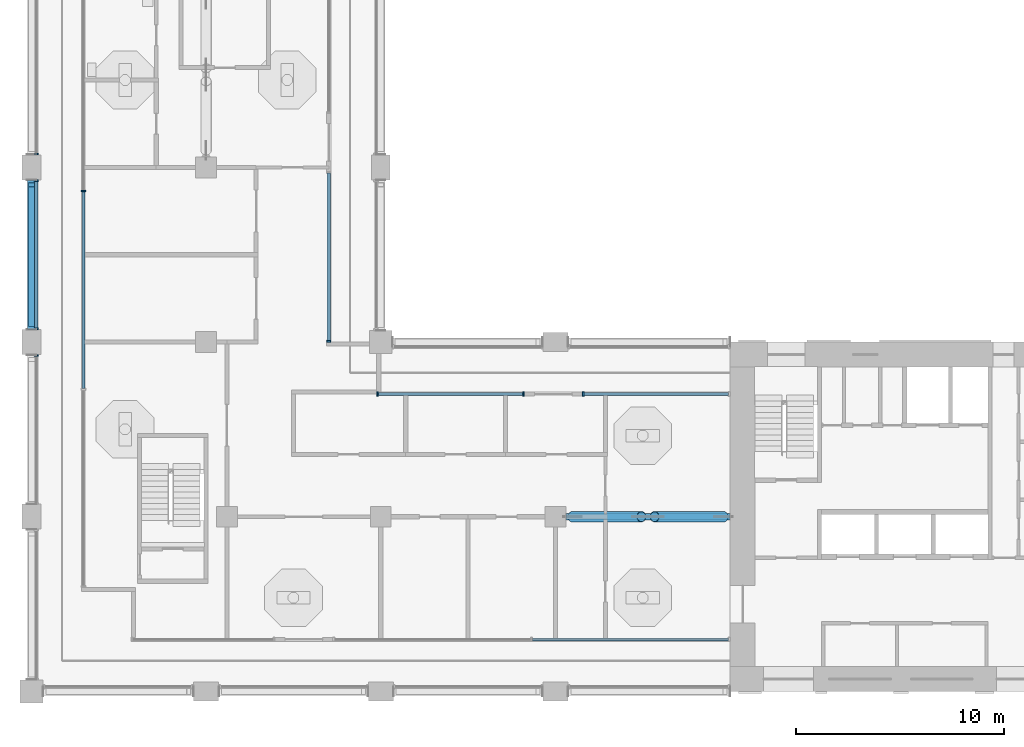
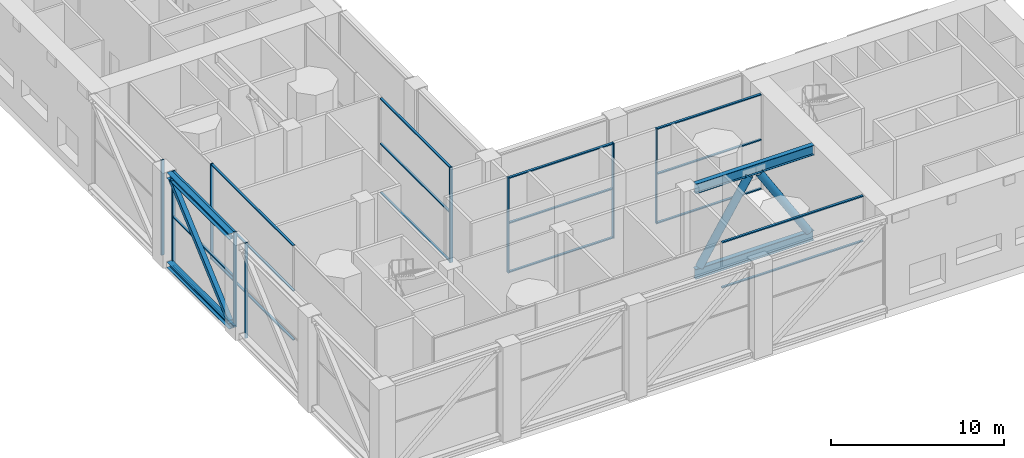
# One storey, part 2 of 20: 33 members, 8 elements without a shape of their own.
"""IFC4 building model written with IfcOpenShell, lengths in metres."""

from ifc_helpers import new_model, si_unit, direction, frame, origin, origin_2d, place, context, subcontext, project, spatial, rectangle, hollow_rectangle, hollow_circle, i_section, extrude, material, material_profile, profile_set, type_object, element, aggregate, save


model = new_model("IFC4")

# Units and contexts
model_context = context("Model", 3, precision=1e-05, world=origin(), true_north=direction((0.0, 1.0)))
body_context = subcontext(model_context, "Body", "Model", "MODEL_VIEW")
ifc_project = project(units=[si_unit("LENGTHUNIT", "METRE"), si_unit("AREAUNIT", "SQUARE_METRE"), si_unit("VOLUMEUNIT", "CUBIC_METRE"), si_unit("PLANEANGLEUNIT", "RADIAN"), si_unit("MASSUNIT", "GRAM", prefix="KILO")], contexts=[model_context])

# Site, building, storey
site_placement = place(None, origin())
site = spatial("IfcSite", under=ifc_project, at=site_placement, CompositionType="ELEMENT")
building_placement = place(site_placement, origin())
building = spatial("IfcBuilding", under=site, at=building_placement, Name="Vermilion Gate Residences", CompositionType="ELEMENT")
storey_placement = place(building_placement, frame((0.0, 0.0, 207.199951171875)))
storey = spatial("IfcBuildingStorey", under=building, at=storey_placement, Name="L54", CompositionType="ELEMENT", Elevation=207.199951171875)

# Curtain wall, member
ifc_material_1 = material(Name="Aluminium and glass", Category="aluminium")
curtain_wall_type = type_object("IfcCurtainWallType", Name="SKY GARDEN GLAZING CURTAIN WALL", PredefinedType="NOTDEFINED", material=ifc_material_1)
curtain_wall_1_placement = place(storey_placement, origin())
curtain_wall_1 = element("IfcCurtainWall", 1, at=curtain_wall_1_placement, inside=storey, type_object=curtain_wall_type, Name="Sky Garden Glazing 0", PredefinedType="NOTDEFINED")
ifc_material_2 = material(Name="Aluminium", Category="aluminium")
ifc_material_profile_1 = material_profile(ifc_material_2, rectangle(XDim=0.199951171875, YDim=0.080078125, at=origin_2d()), Name="MULLION 80 X 200")
ifc_profile_set_1 = profile_set([ifc_material_profile_1], Name="Aluminium")
member_type_1 = type_object("IfcMemberType", Name="SKY GARDEN GLAZING MULLION 80 X 200", PredefinedType="MULLION", material=ifc_profile_set_1)
member_1_placement = place(storey_placement, frame((10.89990234375, 32.466552734375, 0.0), z_axis=(0.0, 0.0, 1.0), x_axis=(1.0, 0.0, 0.0)))
member_1 = element("IfcMember", 2, at=member_1_placement, type_object=member_type_1, Name="ECW3 mullion 2", PredefinedType="MULLION", context=body_context, shape_type="SweptSolid", body=[
    extrude(rectangle(XDim=0.199951171875, YDim=0.080078125, at=origin_2d()), origin(), (0.0, 0.0, 1.0), 6.719970703125),
])

curtain_wall_2_placement = place(storey_placement, origin())
curtain_wall_2 = element("IfcCurtainWall", 3, at=curtain_wall_2_placement, inside=storey, type_object=curtain_wall_type, Name="Sky Garden Glazing 40", PredefinedType="NOTDEFINED")
member_2_placement = place(storey_placement, frame((34.93994140625, 22.699951171875, 0.0), z_axis=(0.0, 0.0, 1.0), x_axis=(0.0, -1.0, 0.0)))
member_2 = element("IfcMember", 4, at=member_2_placement, type_object=member_type_1, Name="ECW3 mullion 2", PredefinedType="MULLION", context=body_context, shape_type="SweptSolid", body=[
    extrude(rectangle(XDim=0.199951171875, YDim=0.080078125, at=origin_2d()), origin(), (0.0, 0.0, 1.0), 6.719970703125),
])

# Curtain wall, members
curtain_wall_3_placement = place(storey_placement, origin())
curtain_wall_3 = element("IfcCurtainWall", 5, at=curtain_wall_3_placement, inside=storey, type_object=curtain_wall_type, Name="Sky Garden Glazing 42", PredefinedType="NOTDEFINED")
member_3_placement = place(storey_placement, frame((32.06005859375, 22.699951171875, 0.0), z_axis=(0.0, 0.0, 1.0), x_axis=(0.0, -1.0, 0.0)))
member_3 = element("IfcMember", 6, at=member_3_placement, type_object=member_type_1, Name="ECW3 mullion 1", PredefinedType="MULLION", context=body_context, shape_type="SweptSolid", body=[
    extrude(rectangle(XDim=0.199951171875, YDim=0.080078125, at=origin_2d()), origin(), (0.0, 0.0, 1.0), 6.719970703125),
])
member_4_placement = place(storey_placement, frame((25.0400390625, 22.699951171875, 0.0), z_axis=(0.0, 0.0, 1.0), x_axis=(0.0, -1.0, 0.0)))
member_4 = element("IfcMember", 7, at=member_4_placement, type_object=member_type_1, Name="ECW3 mullion 2", PredefinedType="MULLION", context=body_context, shape_type="SweptSolid", body=[
    extrude(rectangle(XDim=0.199951171875, YDim=0.080078125, at=origin_2d()), origin(), (0.0, 0.0, 1.0), 6.719970703125),
])

# Curtain wall, member
curtain_wall_4_placement = place(storey_placement, origin())
curtain_wall_4 = element("IfcCurtainWall", 8, at=curtain_wall_4_placement, inside=storey, type_object=curtain_wall_type, Name="Sky Garden Glazing 70", PredefinedType="NOTDEFINED")
member_5_placement = place(storey_placement, frame((22.699951171875, 25.239990234375, 0.0), z_axis=(0.0, 0.0, 1.0), x_axis=(-1.0, 0.0, 0.0)))
member_5 = element("IfcMember", 9, at=member_5_placement, type_object=member_type_1, Name="ECW3 mullion 1", PredefinedType="MULLION", context=body_context, shape_type="SweptSolid", body=[
    extrude(rectangle(XDim=0.199951171875, YDim=0.080078125, at=origin_2d()), origin(), (0.0, 0.0, 1.0), 6.719970703125),
])

curtain_wall_5_placement = place(storey_placement, origin())
curtain_wall_5 = element("IfcCurtainWall", 10, at=curtain_wall_5_placement, inside=storey, type_object=curtain_wall_type, Name="Sky Garden Glazing 500", PredefinedType="NOTDEFINED")
member_6_placement = place(storey_placement, frame((8.6298828125, 34.239990234375, 0.0), z_axis=(0.0, 0.0, 1.0), x_axis=(1.0, 0.0, 0.0)))
member_6 = element("IfcMember", 11, at=member_6_placement, type_object=member_type_1, Name="ECW3 mullion 2", PredefinedType="MULLION", context=body_context, shape_type="SweptSolid", body=[
    extrude(rectangle(XDim=0.199951171875, YDim=0.080078125, at=origin_2d()), origin(), (0.0, 0.0, 1.0), 6.719970703125),
])
aggregate(curtain_wall_5, [member_6])

# Curtain wall, members
curtain_wall_6_placement = place(storey_placement, origin())
curtain_wall_6 = element("IfcCurtainWall", 12, at=curtain_wall_6_placement, inside=storey, type_object=curtain_wall_type, Name="Sky Garden Glazing 501", PredefinedType="NOTDEFINED")
member_7_placement = place(storey_placement, frame((8.6298828125, 32.9599609375, 0.0), z_axis=(0.0, 0.0, 1.0), x_axis=(1.0, 0.0, 0.0)))
member_7 = element("IfcMember", 13, at=member_7_placement, type_object=member_type_1, Name="ECW3 mullion 1", PredefinedType="MULLION", context=body_context, shape_type="SweptSolid", body=[
    extrude(rectangle(XDim=0.199951171875, YDim=0.080078125, at=origin_2d()), origin(), (0.0, 0.0, 1.0), 6.719970703125),
])
member_8_placement = place(storey_placement, frame((8.6298828125, 25.840087890625, 0.0), z_axis=(0.0, 0.0, 1.0), x_axis=(1.0, 0.0, 0.0)))
member_8 = element("IfcMember", 14, at=member_8_placement, type_object=member_type_1, Name="ECW3 mullion 2", PredefinedType="MULLION", context=body_context, shape_type="SweptSolid", body=[
    extrude(rectangle(XDim=0.199951171875, YDim=0.080078125, at=origin_2d()), origin(), (0.0, 0.0, 1.0), 6.719970703125),
])

# Curtain wall, member
curtain_wall_7_placement = place(storey_placement, origin())
curtain_wall_7 = element("IfcCurtainWall", 15, at=curtain_wall_7_placement, inside=storey, type_object=curtain_wall_type, Name="Sky Garden Glazing 502", PredefinedType="NOTDEFINED")
member_9_placement = place(storey_placement, frame((8.6298828125, 24.56005859375, 0.0), z_axis=(0.0, 0.0, 1.0), x_axis=(1.0, 0.0, 0.0)))
member_9 = element("IfcMember", 16, at=member_9_placement, type_object=member_type_1, Name="ECW3 mullion 1", PredefinedType="MULLION", context=body_context, shape_type="SweptSolid", body=[
    extrude(rectangle(XDim=0.199951171875, YDim=0.080078125, at=origin_2d()), origin(), (0.0, 0.0, 1.0), 6.719970703125),
])
aggregate(curtain_wall_7, [member_9])

# Member
ifc_material_3 = material(Name="Aluminium", Category="aluminium")
ifc_material_profile_2 = material_profile(ifc_material_3, rectangle(XDim=0.14990234375, YDim=0.080078125, at=origin_2d()), Name="TRANSOM 80 X 150")
ifc_profile_set_2 = profile_set([ifc_material_profile_2], Name="Aluminium")
member_type_2 = type_object("IfcMemberType", Name="SKY GARDEN GLAZING TRANSOM 80 X 150", PredefinedType="MULLION", material=ifc_profile_set_2)
member_10_placement = place(storey_placement, frame((10.89990234375, 32.4267578125, 0.0400390625), z_axis=(0.0, -1.0, 0.0), x_axis=(1.0, 0.0, 0.0)))
member_10 = element("IfcMember", 17, at=member_10_placement, type_object=member_type_2, Name="ECW3 transom 2.1", PredefinedType="MULLION", context=body_context, shape_type="SweptSolid", body=[
    extrude(rectangle(XDim=0.14990234375, YDim=0.080078125, at=origin_2d()), origin(), (0.0, 0.0, 1.0), 9.453369140625),
])

member_11_placement = place(storey_placement, frame((10.89990234375, 32.4267578125, 3.5), z_axis=(0.0, -1.0, 0.0), x_axis=(1.0, 0.0, 0.0)))
member_11 = element("IfcMember", 18, at=member_11_placement, type_object=member_type_2, Name="ECW3 transom 2.2", PredefinedType="MULLION", context=body_context, shape_type="SweptSolid", body=[
    extrude(rectangle(XDim=0.14990234375, YDim=0.080078125, at=origin_2d()), origin(), (0.0, 0.0, 1.0), 9.453369140625),
])

member_12_placement = place(storey_placement, frame((10.89990234375, 32.4267578125, 6.679931640625), z_axis=(0.0, -1.0, 0.0), x_axis=(1.0, 0.0, 0.0)))
member_12 = element("IfcMember", 19, at=member_12_placement, type_object=member_type_2, Name="ECW3 transom 2.3", PredefinedType="MULLION", context=body_context, shape_type="SweptSolid", body=[
    extrude(rectangle(XDim=0.14990234375, YDim=0.080078125, at=origin_2d()), origin(), (0.0, 0.0, 1.0), 9.453369140625),
])

aggregate(curtain_wall_1, [member_1, member_10, member_11, member_12])

# Curtain wall, members
curtain_wall_8_placement = place(storey_placement, origin())
curtain_wall_8 = element("IfcCurtainWall", 20, at=curtain_wall_8_placement, inside=storey, type_object=curtain_wall_type, Name="Sky Garden Glazing 32", PredefinedType="NOTDEFINED")
member_13_placement = place(storey_placement, frame((32.489990234375, 10.89990234375, 3.5), z_axis=(1.0, 0.0, 0.0), x_axis=(0.0, 1.0, 0.0)))
member_13 = element("IfcMember", 21, at=member_13_placement, type_object=member_type_2, Name="ECW3 transom 2.2", PredefinedType="MULLION", context=body_context, shape_type="SweptSolid", body=[
    extrude(rectangle(XDim=0.14990234375, YDim=0.080078125, at=origin_2d()), origin(), (0.0, 0.0, 1.0), 9.429931640625),
])
member_14_placement = place(storey_placement, frame((32.489990234375, 10.89990234375, 6.679931640625), z_axis=(1.0, 0.0, 0.0), x_axis=(0.0, 1.0, 0.0)))
member_14 = element("IfcMember", 22, at=member_14_placement, type_object=member_type_2, Name="ECW3 transom 2.3", PredefinedType="MULLION", context=body_context, shape_type="SweptSolid", body=[
    extrude(rectangle(XDim=0.14990234375, YDim=0.080078125, at=origin_2d()), origin(), (0.0, 0.0, 1.0), 9.429931640625),
])
aggregate(curtain_wall_8, [member_13, member_14])

# Member
member_15_placement = place(storey_placement, frame((41.919921875, 22.699951171875, 0.0400390625), z_axis=(-1.0, 0.0, 0.0), x_axis=(0.0, -1.0, 0.0)))
member_15 = element("IfcMember", 23, at=member_15_placement, type_object=member_type_2, Name="ECW3 transom 1.1", PredefinedType="MULLION", context=body_context, shape_type="SweptSolid", body=[
    extrude(rectangle(XDim=0.14990234375, YDim=0.080078125, at=origin_2d()), origin(), (0.0, 0.0, 1.0), 6.93994140625),
])

member_16_placement = place(storey_placement, frame((41.919921875, 22.699951171875, 3.5), z_axis=(-1.0, 0.0, 0.0), x_axis=(0.0, -1.0, 0.0)))
member_16 = element("IfcMember", 24, at=member_16_placement, type_object=member_type_2, Name="ECW3 transom 1.2", PredefinedType="MULLION", context=body_context, shape_type="SweptSolid", body=[
    extrude(rectangle(XDim=0.14990234375, YDim=0.080078125, at=origin_2d()), origin(), (0.0, 0.0, 1.0), 6.93994140625),
])

member_17_placement = place(storey_placement, frame((41.919921875, 22.699951171875, 6.679931640625), z_axis=(-1.0, 0.0, 0.0), x_axis=(0.0, -1.0, 0.0)))
member_17 = element("IfcMember", 25, at=member_17_placement, type_object=member_type_2, Name="ECW3 transom 1.3", PredefinedType="MULLION", context=body_context, shape_type="SweptSolid", body=[
    extrude(rectangle(XDim=0.14990234375, YDim=0.080078125, at=origin_2d()), origin(), (0.0, 0.0, 1.0), 6.93994140625),
])

aggregate(curtain_wall_2, [member_2, member_15, member_16, member_17])

member_18_placement = place(storey_placement, frame((32.02001953125, 22.699951171875, 0.0400390625), z_axis=(-1.0, 0.0, 0.0), x_axis=(0.0, -1.0, 0.0)))
member_18 = element("IfcMember", 26, at=member_18_placement, type_object=member_type_2, Name="ECW3 transom 1.1", PredefinedType="MULLION", context=body_context, shape_type="SweptSolid", body=[
    extrude(rectangle(XDim=0.14990234375, YDim=0.080078125, at=origin_2d()), origin(), (0.0, 0.0, 1.0), 6.93994140625),
])

member_19_placement = place(storey_placement, frame((32.02001953125, 22.699951171875, 3.5), z_axis=(-1.0, 0.0, 0.0), x_axis=(0.0, -1.0, 0.0)))
member_19 = element("IfcMember", 27, at=member_19_placement, type_object=member_type_2, Name="ECW3 transom 1.2", PredefinedType="MULLION", context=body_context, shape_type="SweptSolid", body=[
    extrude(rectangle(XDim=0.14990234375, YDim=0.080078125, at=origin_2d()), origin(), (0.0, 0.0, 1.0), 6.93994140625),
])

member_20_placement = place(storey_placement, frame((32.02001953125, 22.699951171875, 6.679931640625), z_axis=(-1.0, 0.0, 0.0), x_axis=(0.0, -1.0, 0.0)))
member_20 = element("IfcMember", 28, at=member_20_placement, type_object=member_type_2, Name="ECW3 transom 1.3", PredefinedType="MULLION", context=body_context, shape_type="SweptSolid", body=[
    extrude(rectangle(XDim=0.14990234375, YDim=0.080078125, at=origin_2d()), origin(), (0.0, 0.0, 1.0), 6.93994140625),
])

aggregate(curtain_wall_3, [member_3, member_4, member_18, member_19, member_20])

member_21_placement = place(storey_placement, frame((22.699951171875, 25.280029296875, 0.0400390625), z_axis=(0.0, 1.0, 0.0), x_axis=(-1.0, 0.0, 0.0)))
member_21 = element("IfcMember", 29, at=member_21_placement, type_object=member_type_2, Name="ECW3 transom 1.1", PredefinedType="MULLION", context=body_context, shape_type="SweptSolid", body=[
    extrude(rectangle(XDim=0.14990234375, YDim=0.080078125, at=origin_2d()), origin(), (0.0, 0.0, 1.0), 8.0400390625),
])

member_22_placement = place(storey_placement, frame((22.699951171875, 25.280029296875, 3.5), z_axis=(0.0, 1.0, 0.0), x_axis=(-1.0, 0.0, 0.0)))
member_22 = element("IfcMember", 30, at=member_22_placement, type_object=member_type_2, Name="ECW3 transom 1.2", PredefinedType="MULLION", context=body_context, shape_type="SweptSolid", body=[
    extrude(rectangle(XDim=0.14990234375, YDim=0.080078125, at=origin_2d()), origin(), (0.0, 0.0, 1.0), 8.0400390625),
])

member_23_placement = place(storey_placement, frame((22.699951171875, 25.280029296875, 6.679931640625), z_axis=(0.0, 1.0, 0.0), x_axis=(-1.0, 0.0, 0.0)))
member_23 = element("IfcMember", 31, at=member_23_placement, type_object=member_type_2, Name="ECW3 transom 1.3", PredefinedType="MULLION", context=body_context, shape_type="SweptSolid", body=[
    extrude(rectangle(XDim=0.14990234375, YDim=0.080078125, at=origin_2d()), origin(), (0.0, 0.0, 1.0), 8.0400390625),
])

aggregate(curtain_wall_4, [member_5, member_21, member_22, member_23])

member_24_placement = place(storey_placement, frame((8.6298828125, 32.919921875, 0.0400390625), z_axis=(0.0, -1.0, 0.0), x_axis=(1.0, 0.0, 0.0)))
member_24 = element("IfcMember", 32, at=member_24_placement, type_object=member_type_2, Name="ECW3 transom 1.1", PredefinedType="MULLION", context=body_context, shape_type="SweptSolid", body=[
    extrude(rectangle(XDim=0.14990234375, YDim=0.080078125, at=origin_2d()), origin(), (0.0, 0.0, 1.0), 7.0400390625),
])

member_25_placement = place(storey_placement, frame((8.6298828125, 32.919921875, 3.5), z_axis=(0.0, -1.0, 0.0), x_axis=(1.0, 0.0, 0.0)))
member_25 = element("IfcMember", 33, at=member_25_placement, type_object=member_type_2, Name="ECW3 transom 1.2", PredefinedType="MULLION", context=body_context, shape_type="SweptSolid", body=[
    extrude(rectangle(XDim=0.14990234375, YDim=0.080078125, at=origin_2d()), origin(), (0.0, 0.0, 1.0), 7.0400390625),
])

member_26_placement = place(storey_placement, frame((8.6298828125, 32.919921875, 6.679931640625), z_axis=(0.0, -1.0, 0.0), x_axis=(1.0, 0.0, 0.0)))
member_26 = element("IfcMember", 34, at=member_26_placement, type_object=member_type_2, Name="ECW3 transom 1.3", PredefinedType="MULLION", context=body_context, shape_type="SweptSolid", body=[
    extrude(rectangle(XDim=0.14990234375, YDim=0.080078125, at=origin_2d()), origin(), (0.0, 0.0, 1.0), 7.0400390625),
])

aggregate(curtain_wall_6, [member_7, member_8, member_24, member_25, member_26])

# Members
ifc_material_4 = material(Name="Steel SM490", Category="steel")
ifc_material_profile_3 = material_profile(ifc_material_4, i_section(OverallWidth=0.39990234375, OverallDepth=0.39990234375, WebThickness=0.012939453125, FlangeThickness=0.02099609375, at=origin_2d()), Name="H-400x400x13x21")
ifc_profile_set_3 = profile_set([ifc_material_profile_3], Name="Steel SM490")
member_type_3 = type_object("IfcMemberType", Name="STEEL BELT TRUSS CHORD H-400x400x13x21 SM490", PredefinedType="CHORD", material=ifc_profile_set_3)
for number, where, z_axis, x_axis, name in (
    (35, (8.39990234375, 25.800048828125, 0.199951171875), (0.0, 1.0, 0.0), (-1.0, 0.0, 0.0), "Belt Truss chord bot L54 BELT40"),
    (36, (8.39990234375, 25.800048828125, 6.52001953125), (0.0, 1.0, 0.0), (-1.0, 0.0, 0.0), "Belt Truss chord top L54 BELT40"),
):
    element("IfcMember", number, at=place(storey_placement, frame(where, z_axis=z_axis, x_axis=x_axis)), inside=storey, type_object=member_type_3, Name=name, PredefinedType="CHORD", context=body_context, shape_type="SweptSolid", body=[
        extrude(i_section(OverallWidth=0.39990234375, OverallDepth=0.39990234375, WebThickness=0.012939453125, FlangeThickness=0.02099609375, at=origin_2d()), origin(), (0.0, 0.0, 1.0), 7.199951171875),
    ])
ifc_material_5 = material(Name="Steel SM490", Category="steel")
ifc_material_profile_4 = material_profile(ifc_material_5, hollow_rectangle(XDim=0.300048828125, YDim=0.300048828125, WallThickness=0.011962890625, at=origin_2d()), Name="BOX-300x300x12")
ifc_profile_set_4 = profile_set([ifc_material_profile_4], Name="Steel SM490")
member_type_4 = type_object("IfcMemberType", Name="STEEL BELT TRUSS DIAGONAL BOX-300x300x12 SM490", PredefinedType="BRACE", material=ifc_profile_set_4)
member_27_placement = place(storey_placement, frame((8.39990234375, 26.0361328125, 0.400146484375), z_axis=(0.0, 0.75074270014, 0.660594730668), x_axis=(-1.0, 0.0, 0.0)))
element("IfcMember", 37, at=member_27_placement, inside=storey, type_object=member_type_4, Name="Belt Truss diagonal L54 BELT40-1", PredefinedType="BRACE", context=body_context, shape_type="SweptSolid", body=[
    extrude(hollow_rectangle(XDim=0.300048828125, YDim=0.300048828125, WallThickness=0.011962890625, at=origin_2d()), origin(), (0.0, 0.0, 1.0), 8.96142578125),
])
ifc_material_6 = material(Name="Steel SM490", Category="steel")
ifc_material_profile_5 = material_profile(ifc_material_6, i_section(OverallWidth=0.300048828125, OverallDepth=0.699951171875, WebThickness=0.012939453125, FlangeThickness=0.02392578125, at=origin_2d()), Name="H-700x300x13x24")
ifc_profile_set_5 = profile_set([ifc_material_profile_5], Name="Steel SM490")
member_type_5 = type_object("IfcMemberType", Name="STEEL OUTRIGGER TRUSS CHORD H-700x300x13x24 SM490", PredefinedType="CHORD", material=ifc_profile_set_5)
for number, where, z_axis, x_axis, name in (
    (38, (42.0, 16.800048828125, 0.35009765625), (-1.0, 0.0, 0.0), (0.0, -1.0, 0.0), "Outrigger Truss chord bot L54 OUT8"),
    (39, (42.0, 16.800048828125, 6.3701171875), (-1.0, 0.0, 0.0), (0.0, -1.0, 0.0), "Outrigger Truss chord top L54 OUT8"),
):
    element("IfcMember", number, at=place(storey_placement, frame(where, z_axis=z_axis, x_axis=x_axis)), inside=storey, type_object=member_type_5, Name=name, PredefinedType="CHORD", context=body_context, shape_type="SweptSolid", body=[
        extrude(i_section(OverallWidth=0.300048828125, OverallDepth=0.699951171875, WebThickness=0.012939453125, FlangeThickness=0.02392578125, at=origin_2d()), origin(), (0.0, 0.0, 1.0), 7.89990234375),
    ])
ifc_material_7 = material(Name="Steel SM490", Category="steel")
ifc_material_profile_6 = material_profile(ifc_material_7, hollow_circle(Radius=0.25390625, WallThickness=0.01611328125, at=origin_2d()), Name="CHS-508x16")
ifc_profile_set_6 = profile_set([ifc_material_profile_6], Name="Steel SM490")
member_type_6 = type_object("IfcMemberType", Name="STEEL OUTRIGGER TRUSS DIAGONAL CHS-508x16 SM490", PredefinedType="BRACE", material=ifc_profile_set_6)
for number, where, z_axis, x_axis, name in (
    (40, (41.68359375, 16.800048828125, 0.699951171875), (-0.529092054463, 0.0, 0.848564433561), (0.0, -1.0, 0.0), "Outrigger Truss diagonal L54 OUT8-1"),
    (41, (37.733642578125, 16.800048828125, 6.02001953125), (-0.529120093551, 0.0, -0.848546950145), (0.0, -1.0, 0.0), "Outrigger Truss diagonal L54 OUT8-2"),
):
    element("IfcMember", number, at=place(storey_placement, frame(where, z_axis=z_axis, x_axis=x_axis)), inside=storey, type_object=member_type_6, Name=name, PredefinedType="BRACE", context=body_context, shape_type="SweptSolid", body=[
        extrude(hollow_circle(Radius=0.25390625, WallThickness=0.01611328125, at=origin_2d()), origin(), (0.0, 0.0, 1.0), 6.26953125),
    ])

save(model, "model.ifc")
